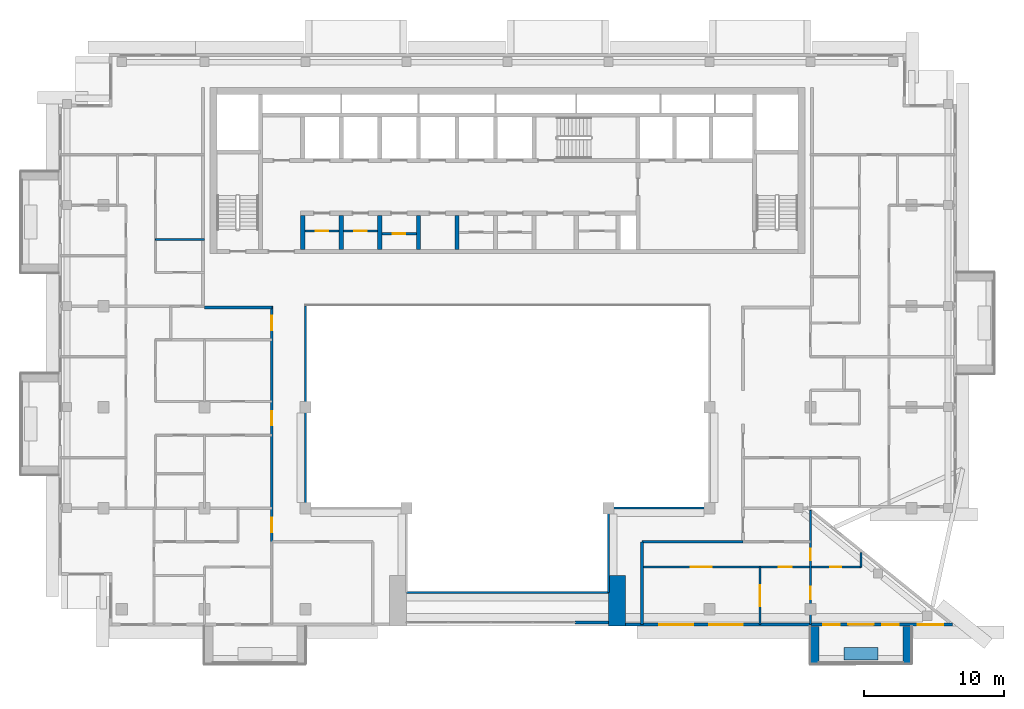
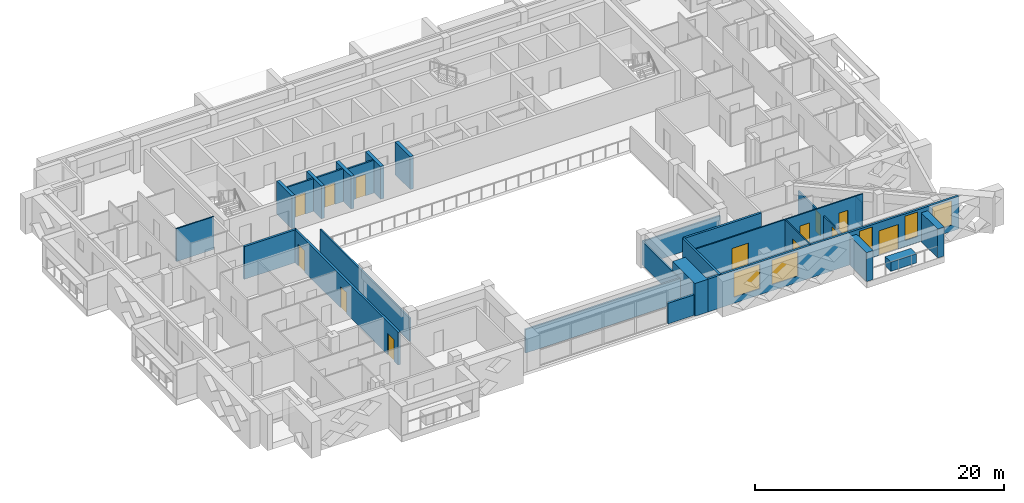
# One storey, part 8 of 19: 27 walls, 13 doors, 5 windows, 18 openings.
"""IFC4 building model written with IfcOpenShell, lengths in metres."""

from ifc_helpers import new_model, si_unit, direction, frame, frame_2d, origin, place, context, subcontext, project, spatial, rectangle, extrude, material, layer, layer_set, type_object, element, fill, save


model = new_model("IFC4")

# Units and contexts
model_context = context("Model", 3, precision=1e-05, world=origin(), true_north=direction((0.0, 1.0)))
body_context = subcontext(model_context, "Body", "Model", "MODEL_VIEW")
ifc_project = project(units=[si_unit("LENGTHUNIT", "METRE"), si_unit("AREAUNIT", "SQUARE_METRE"), si_unit("VOLUMEUNIT", "CUBIC_METRE"), si_unit("PLANEANGLEUNIT", "RADIAN"), si_unit("MASSUNIT", "GRAM", prefix="KILO")], contexts=[model_context])

# Site, building, storey
site_placement = place(None, origin())
site = spatial("IfcSite", under=ifc_project, at=site_placement, CompositionType="ELEMENT")
building_placement = place(site_placement, origin())
building = spatial("IfcBuilding", under=site, at=building_placement, Name="Saffron Iwan Residences", CompositionType="ELEMENT")
storey_placement = place(building_placement, frame((0.0, 0.0, 243.0)))
storey = spatial("IfcBuildingStorey", under=building, at=storey_placement, Name="L65", CompositionType="ELEMENT", Elevation=243.0)

# Walls
ifc_material_1 = material(Name="Fire-rated glazing", Category="glass")
ifc_layer_1 = layer(ifc_material_1, 0.14990234375)
ifc_layer_set_1 = layer_set([ifc_layer_1], Name="Fire-rated glazing")
wall_type_1 = type_object("IfcWallType", Name="Atrium glazed screen 150", PredefinedType="SOLIDWALL", material=ifc_layer_set_1)
wall_1_placement = place(storey_placement, frame((43.199951171875, 42.0, 0.0), z_axis=(0.0, 0.0, 1.0), x_axis=(1.0, 0.0, 0.0)))
element("IfcWall", 1, at=wall_1_placement, inside=storey, type_object=wall_type_1, Name="W-L65-SCREEN-h42-43.2", PredefinedType="SOLIDWALL", context=body_context, shape_type="SweptSolid", body=[
    extrude(rectangle(XDim=14.400146484375, YDim=0.14990234375, at=frame_2d((7.2001953125, 0.0))), origin(), (0.0, 0.0, 1.0), 2.320068359375),
])
wall_2_placement = place(storey_placement, frame((57.60009765625, 48.0, 0.0), z_axis=(0.0, 0.0, 1.0), x_axis=(1.0, 0.0, 0.0)))
element("IfcWall", 2, at=wall_2_placement, inside=storey, type_object=wall_type_1, Name="W-L65-SCREEN-h48-57.6", PredefinedType="SOLIDWALL", context=body_context, shape_type="SweptSolid", body=[
    extrude(rectangle(XDim=7.199951171875, YDim=0.14990234375, at=frame_2d((3.60009765625, 0.0))), origin(), (0.0, 0.0, 1.0), 2.320068359375),
])
wall_3_placement = place(storey_placement, frame((36.0, 48.0, 0.0), z_axis=(0.0, 0.0, 1.0), x_axis=(0.0, 1.0, 0.0)))
element("IfcWall", 3, at=wall_3_placement, inside=storey, type_object=wall_type_1, Name="W-L65-SCREEN-v36-48", PredefinedType="SOLIDWALL", context=body_context, shape_type="SweptSolid", body=[
    extrude(rectangle(XDim=14.39990234375, YDim=0.14990234375, at=frame_2d((7.199951171875, 0.0))), origin(), (0.0, 0.0, 1.0), 2.320068359375),
])
wall_4_placement = place(storey_placement, frame((57.60009765625, 42.0, 0.0), z_axis=(0.0, 0.0, 1.0), x_axis=(0.0, 1.0, 0.0)))
element("IfcWall", 4, at=wall_4_placement, inside=storey, type_object=wall_type_1, Name="W-L65-SCREEN-v57.6-42", PredefinedType="SOLIDWALL", context=body_context, shape_type="SweptSolid", body=[
    extrude(rectangle(XDim=6.0, YDim=0.14990234375, at=frame_2d((3.0, 0.0))), origin(), (0.0, 0.0, 1.0), 2.320068359375),
])
ifc_material_2 = material(Name="Concrete C50/60 white painted", Category="concrete")
ifc_layer_2 = layer(ifc_material_2, 0.60009765625)
ifc_layer_set_2 = layer_set([ifc_layer_2], Name="Concrete C50/60 white painted")
wall_type_2 = type_object("IfcWallType", Name="BALCONY FIN 600", PredefinedType="SOLIDWALL", material=ifc_layer_set_2)
for number, where, z_axis, x_axis, name in (
    (5, (72.300048828125, 39.550048828125, 0.0), (0.0, 0.0, 1.0), (0.0, -1.0, 0.0), "Balcony fin L65 11-1a"),
    (6, (78.89990234375, 39.550048828125, 0.0), (0.0, 0.0, 1.0), (0.0, -1.0, 0.0), "Balcony fin L65 11-1b"),
):
    element("IfcWall", number, at=place(storey_placement, frame(where, z_axis=z_axis, x_axis=x_axis)), inside=storey, type_object=wall_type_2, Name=name, PredefinedType="SOLIDWALL", context=body_context, shape_type="SweptSolid", body=[
        extrude(rectangle(XDim=2.650146484375, YDim=0.60009765625, at=frame_2d((1.3251953125, 0.0))), origin(), (0.0, 0.0, 1.0), 2.85009765625),
    ])
ifc_material_3 = material(Name="Concrete C35/45 white painted", Category="concrete")
ifc_layer_3 = layer(ifc_material_3, 0.14990234375)
ifc_layer_set_3 = layer_set([ifc_layer_3], Name="Concrete C35/45 white painted")
wall_type_3 = type_object("IfcWallType", Name="BALCONY PLANTER", PredefinedType="SOLIDWALL", material=ifc_layer_set_3)
wall_5_placement = place(storey_placement, frame((74.39990234375, 37.625, 0.0), z_axis=(0.0, 0.0, 1.0), x_axis=(1.0, 0.0, 0.0)))
element("IfcWall", 7, at=wall_5_placement, inside=storey, type_object=wall_type_3, Name="PLANTER L65 11-1", PredefinedType="SOLIDWALL", context=body_context, shape_type="SweptSolid", body=[
    extrude(rectangle(XDim=2.400146484375, YDim=0.89990234375, at=frame_2d((1.2001953125, 0.0))), origin(), (0.0, 0.0, 1.0), 0.89990234375),
])

# Wall, opening, door
ifc_material_4 = material(Name="Fire-rated plasterboard partition")
ifc_layer_4 = layer(ifc_material_4, 0.14990234375)
ifc_layer_set_4 = layer_set([ifc_layer_4], Name="Fire-rated plasterboard partition")
wall_type_4 = type_object("IfcWallType", Name="Core partition 150", PredefinedType="PARTITIONING", material=ifc_layer_set_4)
wall_6_placement = place(storey_placement, frame((35.949951171875, 67.759521484375, 0.0), z_axis=(0.0, 0.0, 1.0), x_axis=(1.0, 0.0, 0.0)))
wall_6 = element("IfcWall", 8, at=wall_6_placement, inside=storey, type_object=wall_type_4, Name="Core partition P01", PredefinedType="PARTITIONING", context=body_context, shape_type="SweptSolid", body=[
    extrude(rectangle(XDim=2.449951171875, YDim=0.14990234375, at=frame_2d((1.22509765625, 0.0))), origin(), (0.0, 0.0, 1.0), 3.219970703125),
])
opening_1_placement = place(wall_6_placement, frame((0.77490234375, 0.0, 0.0)))
opening_1 = element("IfcOpeningElement", 9, at=opening_1_placement, cuts=wall_6, Name="Opening SB", PredefinedType="OPENING", context=body_context, shape_type="SweptSolid", body=[
    extrude(rectangle(XDim=0.89990234375, YDim=2.10009765625, at=frame_2d((0.449951171875, 1.050048828125))), frame((0.0, 0.0849609375, 0.0), z_axis=(0.0, -1.0, 0.0), x_axis=(1.0, 0.0, 0.0)), (0.0, 0.0, 1.0), 0.169921875),
])
ifc_material_5 = material(Name="Steel fire door", Category="steel")
door_type_1 = type_object("IfcDoorType", Name="Store door 900", OperationType="NOTDEFINED", PredefinedType="DOOR", material=ifc_material_5)
door_1_placement = place(opening_1_placement, origin())
door_1 = element("IfcDoor", 10, at=door_1_placement, inside=storey, type_object=door_type_1, Name="Door Tool store", OperationType="SINGLE_SWING_LEFT", OverallHeight=2.10009765625, OverallWidth=0.89990234375, PredefinedType="DOOR", context=body_context, shape_type="SweptSolid", body=[
    extrude(rectangle(XDim=0.89990234375, YDim=2.10009765625, at=frame_2d((0.449951171875, 1.050048828125))), frame((0.0, 0.02490234375, 0.0), z_axis=(0.0, -1.0, 0.0), x_axis=(1.0, 0.0, 0.0)), (0.0, 0.0, 1.0), 0.050048828125),
])
fill(opening_1, door_1)

wall_7_placement = place(storey_placement, frame((38.699951171875, 67.759521484375, 0.0), z_axis=(0.0, 0.0, 1.0), x_axis=(1.0, 0.0, 0.0)))
wall_7 = element("IfcWall", 11, at=wall_7_placement, inside=storey, type_object=wall_type_4, Name="Core partition P02", PredefinedType="PARTITIONING", context=body_context, shape_type="SweptSolid", body=[
    extrude(rectangle(XDim=2.449951171875, YDim=0.14990234375, at=frame_2d((1.22509765625, 0.0))), origin(), (0.0, 0.0, 1.0), 3.219970703125),
])
opening_2_placement = place(wall_7_placement, frame((0.77490234375, 0.0, 0.0)))
opening_2 = element("IfcOpeningElement", 12, at=opening_2_placement, cuts=wall_7, Name="Opening SB", PredefinedType="OPENING", context=body_context, shape_type="SweptSolid", body=[
    extrude(rectangle(XDim=0.89990234375, YDim=2.10009765625, at=frame_2d((0.449951171875, 1.050048828125))), frame((0.0, 0.0849609375, 0.0), z_axis=(0.0, -1.0, 0.0), x_axis=(1.0, 0.0, 0.0)), (0.0, 0.0, 1.0), 0.169921875),
])
door_2_placement = place(opening_2_placement, origin())
door_2 = element("IfcDoor", 13, at=door_2_placement, inside=storey, type_object=door_type_1, Name="Door Cabling room", OperationType="SINGLE_SWING_RIGHT", OverallHeight=2.10009765625, OverallWidth=0.89990234375, PredefinedType="DOOR", context=body_context, shape_type="SweptSolid", body=[
    extrude(rectangle(XDim=0.89990234375, YDim=2.10009765625, at=frame_2d((0.449951171875, 1.050048828125))), frame((0.0, 0.02490234375, 0.0), z_axis=(0.0, -1.0, 0.0), x_axis=(1.0, 0.0, 0.0)), (0.0, 0.0, 1.0), 0.050048828125),
])
fill(opening_2, door_2)

wall_8_placement = place(storey_placement, frame((41.449951171875, 67.5654296875, 0.0), z_axis=(0.0, 0.0, 1.0), x_axis=(1.0, 0.0, 0.0)))
wall_8 = element("IfcWall", 14, at=wall_8_placement, inside=storey, type_object=wall_type_4, Name="Core partition P03", PredefinedType="PARTITIONING", context=body_context, shape_type="SweptSolid", body=[
    extrude(rectangle(XDim=2.449951171875, YDim=0.14990234375, at=frame_2d((1.22509765625, 0.0))), origin(), (0.0, 0.0, 1.0), 3.219970703125),
])
opening_3_placement = place(wall_8_placement, frame((0.77490234375, 0.0, 0.0)))
opening_3 = element("IfcOpeningElement", 15, at=opening_3_placement, cuts=wall_8, Name="Opening SB", PredefinedType="OPENING", context=body_context, shape_type="SweptSolid", body=[
    extrude(rectangle(XDim=0.89990234375, YDim=2.10009765625, at=frame_2d((0.449951171875, 1.050048828125))), frame((0.0, 0.0849609375, 0.0), z_axis=(0.0, -1.0, 0.0), x_axis=(1.0, 0.0, 0.0)), (0.0, 0.0, 1.0), 0.169921875),
])
door_3_placement = place(opening_3_placement, origin())
door_3 = element("IfcDoor", 16, at=door_3_placement, inside=storey, type_object=door_type_1, Name="Door Equipment store", OperationType="SINGLE_SWING_RIGHT", OverallHeight=2.10009765625, OverallWidth=0.89990234375, PredefinedType="DOOR", context=body_context, shape_type="SweptSolid", body=[
    extrude(rectangle(XDim=0.89990234375, YDim=2.10009765625, at=frame_2d((0.449951171875, 1.050048828125))), frame((0.0, 0.02490234375, 0.0), z_axis=(0.0, -1.0, 0.0), x_axis=(1.0, 0.0, 0.0)), (0.0, 0.0, 1.0), 0.050048828125),
])
fill(opening_3, door_3)

# Wall, openings, door, windows
ifc_material_6 = material(Name="Concrete C40/50", Category="concrete")
ifc_layer_5 = layer(ifc_material_6, 0.199951171875)
ifc_layer_set_5 = layer_set([ifc_layer_5], Name="Concrete C40/50")
wall_type_5 = type_object("IfcWallType", Name="EXTERNAL WALL 200", PredefinedType="SOLIDWALL", material=ifc_layer_set_5)
wall_9_placement = place(storey_placement, frame((58.800048828125, 39.699951171875, 0.0), z_axis=(0.0, 0.0, 1.0), x_axis=(1.0, 0.0, 0.0)))
wall_9 = element("IfcWall", 17, at=wall_9_placement, inside=storey, type_object=wall_type_5, Name="External wall L65 F11.1", PredefinedType="SOLIDWALL", context=body_context, shape_type="SweptSolid", body=[
    extrude(rectangle(XDim=23.31689453125, YDim=0.199951171875, at=frame_2d((11.658447265625, 0.0))), origin(), (0.0, 0.0, 1.0), 3.219970703125),
])
opening_4_placement = place(wall_9_placement, frame((15.89990234375, 0.0, 0.0)))
opening_4 = element("IfcOpeningElement", 18, at=opening_4_placement, cuts=wall_9, Name="Opening BD1", PredefinedType="OPENING", context=body_context, shape_type="SweptSolid", body=[
    extrude(rectangle(XDim=1.800048828125, YDim=2.39990234375, at=frame_2d((0.89990234375, 1.199951171875))), frame((0.0, 0.10986328125, 0.0), z_axis=(0.0, -1.0, 0.0), x_axis=(1.0, 0.0, 0.0)), (0.0, 0.0, 1.0), 0.219970703125),
])
opening_5_placement = place(wall_9_placement, frame((2.433349609375, 0.0, 0.60009765625)))
opening_5 = element("IfcOpeningElement", 19, at=opening_5_placement, cuts=wall_9, Name="Opening W1", PredefinedType="OPENING", context=body_context, shape_type="SweptSolid", body=[
    extrude(rectangle(XDim=2.39990234375, YDim=2.39990234375, at=frame_2d((1.199951171875, 1.199951171875))), frame((0.0, 0.10986328125, 0.0), z_axis=(0.0, -1.0, 0.0), x_axis=(1.0, 0.0, 0.0)), (0.0, 0.0, 1.0), 0.219970703125),
])
opening_6_placement = place(wall_9_placement, frame((5.966796875, 0.0, 0.60009765625)))
opening_6 = element("IfcOpeningElement", 20, at=opening_6_placement, cuts=wall_9, Name="Opening W1", PredefinedType="OPENING", context=body_context, shape_type="SweptSolid", body=[
    extrude(rectangle(XDim=2.39990234375, YDim=2.39990234375, at=frame_2d((1.199951171875, 1.199951171875))), frame((0.0, 0.10986328125, 0.0), z_axis=(0.0, -1.0, 0.0), x_axis=(1.0, 0.0, 0.0)), (0.0, 0.0, 1.0), 0.219970703125),
])
opening_7_placement = place(wall_9_placement, frame((14.10009765625, 0.0, 0.60009765625)))
opening_7 = element("IfcOpeningElement", 21, at=opening_7_placement, cuts=wall_9, Name="Opening W3", PredefinedType="OPENING", context=body_context, shape_type="SweptSolid", body=[
    extrude(rectangle(XDim=1.199951171875, YDim=2.39990234375, at=frame_2d((0.60009765625, 1.199951171875))), frame((0.0, 0.10986328125, 0.0), z_axis=(0.0, -1.0, 0.0), x_axis=(1.0, 0.0, 0.0)), (0.0, 0.0, 1.0), 0.219970703125),
])
opening_8_placement = place(wall_9_placement, frame((18.300048828125, 0.0, 0.60009765625)))
opening_8 = element("IfcOpeningElement", 22, at=opening_8_placement, cuts=wall_9, Name="Opening W3", PredefinedType="OPENING", context=body_context, shape_type="SweptSolid", body=[
    extrude(rectangle(XDim=1.199951171875, YDim=2.39990234375, at=frame_2d((0.60009765625, 1.199951171875))), frame((0.0, 0.10986328125, 0.0), z_axis=(0.0, -1.0, 0.0), x_axis=(1.0, 0.0, 0.0)), (0.0, 0.0, 1.0), 0.219970703125),
])
opening_9_placement = place(wall_9_placement, frame((20.8583984375, 0.0, 0.60009765625)))
opening_9 = element("IfcOpeningElement", 23, at=opening_9_placement, cuts=wall_9, Name="Opening W8", PredefinedType="OPENING", context=body_context, shape_type="SweptSolid", body=[
    extrude(rectangle(XDim=1.800048828125, YDim=2.39990234375, at=frame_2d((0.89990234375, 1.199951171875))), frame((0.0, 0.10986328125, 0.0), z_axis=(0.0, -1.0, 0.0), x_axis=(1.0, 0.0, 0.0)), (0.0, 0.0, 1.0), 0.219970703125),
])
ifc_material_7 = material(Name="Clear glass, laminated double glazed", Category="glass")
door_type_2 = type_object("IfcDoorType", Name="BALCONY DOOR 1800 x 2400", OperationType="DOUBLE_DOOR_SLIDING", PredefinedType="DOOR", material=ifc_material_7)
door_4_placement = place(opening_4_placement, origin())
door_4 = element("IfcDoor", 24, at=door_4_placement, inside=storey, type_object=door_type_2, Name="Balcony door L65 F11.0", OperationType="DOUBLE_DOOR_SLIDING", OverallHeight=2.39990234375, OverallWidth=1.800048828125, PredefinedType="DOOR", context=body_context, shape_type="SweptSolid", body=[
    extrude(rectangle(XDim=1.800048828125, YDim=2.39990234375, at=frame_2d((0.89990234375, 1.199951171875))), frame((0.0, 0.02490234375, 0.0), z_axis=(0.0, -1.0, 0.0), x_axis=(1.0, 0.0, 0.0)), (0.0, 0.0, 1.0), 0.050048828125),
])
fill(opening_4, door_4)
window_type_1 = type_object("IfcWindowType", Name="WINDOW 1200 x 2400", PartitioningType="SINGLE_PANEL", PredefinedType="WINDOW", material=ifc_material_7)
window_1_placement = place(opening_7_placement, origin())
window_1 = element("IfcWindow", 25, at=window_1_placement, inside=storey, type_object=window_type_1, Name="Window L65 F11.3", OverallHeight=2.39990234375, OverallWidth=1.199951171875, PartitioningType="SINGLE_PANEL", PredefinedType="WINDOW", context=body_context, shape_type="SweptSolid", body=[
    extrude(rectangle(XDim=1.199951171875, YDim=2.39990234375, at=frame_2d((0.60009765625, 1.199951171875))), frame((0.0, 0.030029296875, 0.0), z_axis=(0.0, -1.0, 0.0), x_axis=(1.0, 0.0, 0.0)), (0.0, 0.0, 1.0), 0.06005859375),
])
fill(opening_7, window_1)
window_2_placement = place(opening_8_placement, origin())
window_2 = element("IfcWindow", 26, at=window_2_placement, inside=storey, type_object=window_type_1, Name="Window L65 F11.4", OverallHeight=2.39990234375, OverallWidth=1.199951171875, PartitioningType="SINGLE_PANEL", PredefinedType="WINDOW", context=body_context, shape_type="SweptSolid", body=[
    extrude(rectangle(XDim=1.199951171875, YDim=2.39990234375, at=frame_2d((0.60009765625, 1.199951171875))), frame((0.0, 0.030029296875, 0.0), z_axis=(0.0, -1.0, 0.0), x_axis=(1.0, 0.0, 0.0)), (0.0, 0.0, 1.0), 0.06005859375),
])
fill(opening_8, window_2)
window_type_2 = type_object("IfcWindowType", Name="WINDOW 1800 x 2400", PartitioningType="DOUBLE_PANEL_VERTICAL", PredefinedType="WINDOW", material=ifc_material_7)
window_3_placement = place(opening_9_placement, origin())
window_3 = element("IfcWindow", 27, at=window_3_placement, inside=storey, type_object=window_type_2, Name="Window L65 F11.5", OverallHeight=2.39990234375, OverallWidth=1.800048828125, PartitioningType="DOUBLE_PANEL_VERTICAL", PredefinedType="WINDOW", context=body_context, shape_type="SweptSolid", body=[
    extrude(rectangle(XDim=1.800048828125, YDim=2.39990234375, at=frame_2d((0.89990234375, 1.199951171875))), frame((0.0, 0.030029296875, 0.0), z_axis=(0.0, -1.0, 0.0), x_axis=(1.0, 0.0, 0.0)), (0.0, 0.0, 1.0), 0.06005859375),
])
fill(opening_9, window_3)
window_type_3 = type_object("IfcWindowType", Name="WINDOW 2400 x 2400", PartitioningType="DOUBLE_PANEL_VERTICAL", PredefinedType="WINDOW", material=ifc_material_7)
window_4_placement = place(opening_5_placement, origin())
window_4 = element("IfcWindow", 28, at=window_4_placement, inside=storey, type_object=window_type_3, Name="Window L65 F11.1", OverallHeight=2.39990234375, OverallWidth=2.39990234375, PartitioningType="DOUBLE_PANEL_VERTICAL", PredefinedType="WINDOW", context=body_context, shape_type="SweptSolid", body=[
    extrude(rectangle(XDim=2.39990234375, YDim=2.39990234375, at=frame_2d((1.199951171875, 1.199951171875))), frame((0.0, 0.030029296875, 0.0), z_axis=(0.0, -1.0, 0.0), x_axis=(1.0, 0.0, 0.0)), (0.0, 0.0, 1.0), 0.06005859375),
])
fill(opening_5, window_4)
window_5_placement = place(opening_6_placement, origin())
window_5 = element("IfcWindow", 29, at=window_5_placement, inside=storey, type_object=window_type_3, Name="Window L65 F11.2", OverallHeight=2.39990234375, OverallWidth=2.39990234375, PartitioningType="DOUBLE_PANEL_VERTICAL", PredefinedType="WINDOW", context=body_context, shape_type="SweptSolid", body=[
    extrude(rectangle(XDim=2.39990234375, YDim=2.39990234375, at=frame_2d((1.199951171875, 1.199951171875))), frame((0.0, 0.030029296875, 0.0), z_axis=(0.0, -1.0, 0.0), x_axis=(1.0, 0.0, 0.0)), (0.0, 0.0, 1.0), 0.06005859375),
])
fill(opening_6, window_5)

# Wall
wall_10_placement = place(storey_placement, frame((55.199951171875, 39.85009765625, 0.0), z_axis=(0.0, 0.0, 1.0), x_axis=(1.0, 0.0, 0.0)))
element("IfcWall", 30, at=wall_10_placement, inside=storey, type_object=wall_type_5, Name="External wall infill CWB-L65-0", PredefinedType="SOLIDWALL", context=body_context, shape_type="SweptSolid", body=[
    extrude(rectangle(XDim=2.400146484375, YDim=0.199951171875, at=frame_2d((1.2001953125, 0.0))), origin(), (0.0, 0.0, 1.0), 2.02001953125),
])

# Wall, openings, doors
ifc_material_8 = material(Name="Gypsum board partition")
ifc_layer_6 = layer(ifc_material_8, 0.1201171875)
ifc_layer_set_6 = layer_set([ifc_layer_6], Name="Gypsum board partition")
wall_type_6 = type_object("IfcWallType", Name="Flat partition 120", PredefinedType="PARTITIONING", material=ifc_layer_set_6)
wall_11_placement = place(storey_placement, frame((60.0, 43.800048828125, 0.0), z_axis=(0.0, 0.0, 1.0), x_axis=(1.0, 0.0, 0.0)))
wall_11 = element("IfcWall", 31, at=wall_11_placement, inside=storey, type_object=wall_type_6, Name="W-L65-PART-h43.8-60", PredefinedType="PARTITIONING", context=body_context, shape_type="SweptSolid", body=[
    extrude(rectangle(XDim=15.60009765625, YDim=0.1201171875, at=frame_2d((7.800048828125, 0.0))), origin(), (0.0, 0.0, 1.0), 3.219970703125),
])
opening_10_placement = place(wall_11_placement, frame((9.75, 0.0, 0.0)))
opening_10 = element("IfcOpeningElement", 32, at=opening_10_placement, cuts=wall_11, Name="Opening FD2", PredefinedType="OPENING", context=body_context, shape_type="SweptSolid", body=[
    extrude(rectangle(XDim=0.89990234375, YDim=2.10009765625, at=frame_2d((0.449951171875, 1.050048828125))), frame((0.0, 0.070068359375, 0.0), z_axis=(0.0, -1.0, 0.0), x_axis=(1.0, 0.0, 0.0)), (0.0, 0.0, 1.0), 0.14013671875),
])
opening_11_placement = place(wall_11_placement, frame((3.449951171875, 0.0, 0.0)))
opening_11 = element("IfcOpeningElement", 33, at=opening_11_placement, cuts=wall_11, Name="Opening FD4", PredefinedType="OPENING", context=body_context, shape_type="SweptSolid", body=[
    extrude(rectangle(XDim=1.5, YDim=2.10009765625, at=frame_2d((0.75, 1.050048828125))), frame((0.0, 0.070068359375, 0.0), z_axis=(0.0, -1.0, 0.0), x_axis=(1.0, 0.0, 0.0)), (0.0, 0.0, 1.0), 0.14013671875),
])
opening_12_placement = place(wall_11_placement, frame((13.39990234375, 0.0, 0.0)))
opening_12 = element("IfcOpeningElement", 34, at=opening_12_placement, cuts=wall_11, Name="Opening FD3", PredefinedType="OPENING", context=body_context, shape_type="SweptSolid", body=[
    extrude(rectangle(XDim=0.800048828125, YDim=2.10009765625, at=frame_2d((0.39990234375, 1.050048828125))), frame((0.0, 0.070068359375, 0.0), z_axis=(0.0, -1.0, 0.0), x_axis=(1.0, 0.0, 0.0)), (0.0, 0.0, 1.0), 0.14013671875),
])
ifc_material_9 = material(Name="Timber door", Category="wood")
door_type_3 = type_object("IfcDoorType", Name="Bathroom door 800", OperationType="NOTDEFINED", PredefinedType="DOOR", material=ifc_material_9)
door_5_placement = place(opening_12_placement, origin())
door_5 = element("IfcDoor", 35, at=door_5_placement, inside=storey, type_object=door_type_3, Name="Door L65-047", OperationType="SINGLE_SWING_RIGHT", OverallHeight=2.10009765625, OverallWidth=0.800048828125, PredefinedType="DOOR", context=body_context, shape_type="SweptSolid", body=[
    extrude(rectangle(XDim=0.800048828125, YDim=2.10009765625, at=frame_2d((0.39990234375, 1.050048828125))), frame((0.0, 0.02490234375, 0.0), z_axis=(0.0, -1.0, 0.0), x_axis=(1.0, 0.0, 0.0)), (0.0, 0.0, 1.0), 0.050048828125),
])
fill(opening_12, door_5)
door_type_4 = type_object("IfcDoorType", Name="Double door 1500", OperationType="NOTDEFINED", PredefinedType="DOOR", material=ifc_material_9)
door_6_placement = place(opening_11_placement, origin())
door_6 = element("IfcDoor", 36, at=door_6_placement, inside=storey, type_object=door_type_4, Name="Door L65-044", OperationType="SINGLE_SWING_RIGHT", OverallHeight=2.10009765625, OverallWidth=1.5, PredefinedType="DOOR", context=body_context, shape_type="SweptSolid", body=[
    extrude(rectangle(XDim=1.5, YDim=2.10009765625, at=frame_2d((0.75, 1.050048828125))), frame((0.0, 0.02490234375, 0.0), z_axis=(0.0, -1.0, 0.0), x_axis=(1.0, 0.0, 0.0)), (0.0, 0.0, 1.0), 0.050048828125),
])
fill(opening_11, door_6)
door_type_5 = type_object("IfcDoorType", Name="Flat door 900", OperationType="NOTDEFINED", PredefinedType="DOOR", material=ifc_material_9)
door_7_placement = place(opening_10_placement, origin())
door_7 = element("IfcDoor", 37, at=door_7_placement, inside=storey, type_object=door_type_5, Name="Door L65-043", OperationType="SINGLE_SWING_LEFT", OverallHeight=2.10009765625, OverallWidth=0.89990234375, PredefinedType="DOOR", context=body_context, shape_type="SweptSolid", body=[
    extrude(rectangle(XDim=0.89990234375, YDim=2.10009765625, at=frame_2d((0.449951171875, 1.050048828125))), frame((0.0, 0.02490234375, 0.0), z_axis=(0.0, -1.0, 0.0), x_axis=(1.0, 0.0, 0.0)), (0.0, 0.0, 1.0), 0.050048828125),
])
fill(opening_10, door_7)

# Wall
wall_12_placement = place(storey_placement, frame((25.300048828125, 67.14990234375, 0.0), z_axis=(0.0, 0.0, 1.0), x_axis=(1.0, 0.0, 0.0)))
element("IfcWall", 38, at=wall_12_placement, inside=storey, type_object=wall_type_6, Name="W-L65-PART-h67.15-25.3", PredefinedType="PARTITIONING", context=body_context, shape_type="SweptSolid", body=[
    extrude(rectangle(XDim=3.5, YDim=0.1201171875, at=frame_2d((1.75, 0.0))), origin(), (0.0, 0.0, 1.0), 3.219970703125),
])

# Wall, opening, door
wall_13_placement = place(storey_placement, frame((68.39990234375, 39.72509765625, 0.0), z_axis=(0.0, 0.0, 1.0), x_axis=(0.0, 1.0, 0.0)))
wall_13 = element("IfcWall", 39, at=wall_13_placement, inside=storey, type_object=wall_type_6, Name="W-L65-PART-v68.4-39.725", PredefinedType="PARTITIONING", context=body_context, shape_type="SweptSolid", body=[
    extrude(rectangle(XDim=4.074951171875, YDim=0.1201171875, at=frame_2d((2.03759765625, 0.0))), origin(), (0.0, 0.0, 1.0), 3.219970703125),
])
opening_13_placement = place(wall_13_placement, frame((1.28759765625, 0.0, 0.0)))
opening_13 = element("IfcOpeningElement", 40, at=opening_13_placement, cuts=wall_13, Name="Opening FD4", PredefinedType="OPENING", context=body_context, shape_type="SweptSolid", body=[
    extrude(rectangle(XDim=1.5, YDim=2.10009765625, at=frame_2d((0.75, 1.050048828125))), frame((0.0, 0.070068359375, 0.0), z_axis=(0.0, -1.0, 0.0), x_axis=(1.0, 0.0, 0.0)), (0.0, 0.0, 1.0), 0.14013671875),
])
door_8_placement = place(opening_13_placement, origin())
door_8 = element("IfcDoor", 41, at=door_8_placement, inside=storey, type_object=door_type_4, Name="Door L65-040", OperationType="SINGLE_SWING_LEFT", OverallHeight=2.10009765625, OverallWidth=1.5, PredefinedType="DOOR", context=body_context, shape_type="SweptSolid", body=[
    extrude(rectangle(XDim=1.5, YDim=2.10009765625, at=frame_2d((0.75, 1.050048828125))), frame((0.0, 0.02490234375, 0.0), z_axis=(0.0, -1.0, 0.0), x_axis=(1.0, 0.0, 0.0)), (0.0, 0.0, 1.0), 0.050048828125),
])
fill(opening_13, door_8)

# Wall, openings, doors
wall_14_placement = place(storey_placement, frame((72.0, 39.72509765625, 0.0), z_axis=(0.0, 0.0, 1.0), x_axis=(0.0, 1.0, 0.0)))
wall_14 = element("IfcWall", 42, at=wall_14_placement, inside=storey, type_object=wall_type_6, Name="W-L65-PART-v72-39.725", PredefinedType="PARTITIONING", context=body_context, shape_type="SweptSolid", body=[
    extrude(rectangle(XDim=8.114013671875, YDim=0.1201171875, at=frame_2d((4.05712890625, 0.0))), origin(), (0.0, 0.0, 1.0), 2.320068359375),
])
opening_14_placement = place(wall_14_placement, frame((1.78759765625, 0.0, 0.0)))
opening_14 = element("IfcOpeningElement", 43, at=opening_14_placement, cuts=wall_14, Name="Opening FD2", PredefinedType="OPENING", context=body_context, shape_type="SweptSolid", body=[
    extrude(rectangle(XDim=0.89990234375, YDim=2.10009765625, at=frame_2d((0.449951171875, 1.050048828125))), frame((0.0, 0.070068359375, 0.0), z_axis=(0.0, -1.0, 0.0), x_axis=(1.0, 0.0, 0.0)), (0.0, 0.0, 1.0), 0.14013671875),
])
opening_15_placement = place(wall_14_placement, frame((4.574951171875, 0.0, 0.0)))
opening_15 = element("IfcOpeningElement", 44, at=opening_15_placement, cuts=wall_14, Name="Opening FD3", PredefinedType="OPENING", context=body_context, shape_type="SweptSolid", body=[
    extrude(rectangle(XDim=0.800048828125, YDim=2.10009765625, at=frame_2d((0.39990234375, 1.050048828125))), frame((0.0, 0.070068359375, 0.0), z_axis=(0.0, -1.0, 0.0), x_axis=(1.0, 0.0, 0.0)), (0.0, 0.0, 1.0), 0.14013671875),
])
door_9_placement = place(opening_15_placement, origin())
door_9 = element("IfcDoor", 45, at=door_9_placement, inside=storey, type_object=door_type_3, Name="Door L65-046", OperationType="SINGLE_SWING_LEFT", OverallHeight=2.10009765625, OverallWidth=0.800048828125, PredefinedType="DOOR", context=body_context, shape_type="SweptSolid", body=[
    extrude(rectangle(XDim=0.800048828125, YDim=2.10009765625, at=frame_2d((0.39990234375, 1.050048828125))), frame((0.0, 0.02490234375, 0.0), z_axis=(0.0, -1.0, 0.0), x_axis=(1.0, 0.0, 0.0)), (0.0, 0.0, 1.0), 0.050048828125),
])
fill(opening_15, door_9)
door_10_placement = place(opening_14_placement, origin())
door_10 = element("IfcDoor", 46, at=door_10_placement, inside=storey, type_object=door_type_5, Name="Door L65-045", OperationType="SINGLE_SWING_RIGHT", OverallHeight=2.10009765625, OverallWidth=0.89990234375, PredefinedType="DOOR", context=body_context, shape_type="SweptSolid", body=[
    extrude(rectangle(XDim=0.89990234375, YDim=2.10009765625, at=frame_2d((0.449951171875, 1.050048828125))), frame((0.0, 0.02490234375, 0.0), z_axis=(0.0, -1.0, 0.0), x_axis=(1.0, 0.0, 0.0)), (0.0, 0.0, 1.0), 0.050048828125),
])
fill(opening_14, door_10)

# Walls
wall_15_placement = place(storey_placement, frame((75.60009765625, 43.800048828125, 0.0), z_axis=(0.0, 0.0, 1.0), x_axis=(0.0, 1.0, 0.0)))
element("IfcWall", 47, at=wall_15_placement, inside=storey, type_object=wall_type_6, Name="W-L65-PART-v75.6-43.8", PredefinedType="PARTITIONING", context=body_context, shape_type="SweptSolid", body=[
    extrude(rectangle(XDim=1.03515625, YDim=0.1201171875, at=frame_2d((0.517578125, 0.0))), origin(), (0.0, 0.0, 1.0), 2.320068359375),
])
ifc_material_10 = material(Name="Fire-rated gypsum board wall")
ifc_layer_7 = layer(ifc_material_10, 0.199951171875)
ifc_layer_set_7 = layer_set([ifc_layer_7], Name="Fire-rated gypsum board wall")
wall_type_7 = type_object("IfcWallType", Name="Gallery wall 200", PredefinedType="SOLIDWALL", material=ifc_layer_set_7)
wall_16_placement = place(storey_placement, frame((60.0, 45.60009765625, 0.0), z_axis=(0.0, 0.0, 1.0), x_axis=(1.0, 0.0, 0.0)))
element("IfcWall", 48, at=wall_16_placement, inside=storey, type_object=wall_type_7, Name="W-L65-CORR-h45.6-60", PredefinedType="SOLIDWALL", context=body_context, shape_type="SweptSolid", body=[
    extrude(rectangle(XDim=7.199951171875, YDim=0.199951171875, at=frame_2d((3.60009765625, 0.0))), origin(), (0.0, 0.0, 1.0), 3.219970703125),
])
wall_17_placement = place(storey_placement, frame((28.800048828125, 62.300048828125, 0.0), z_axis=(0.0, 0.0, 1.0), x_axis=(1.0, 0.0, 0.0)))
element("IfcWall", 49, at=wall_17_placement, inside=storey, type_object=wall_type_7, Name="W-L65-CORR-h62.4-28.8", PredefinedType="SOLIDWALL", context=body_context, shape_type="SweptSolid", body=[
    extrude(rectangle(XDim=4.800048828125, YDim=0.199951171875, at=frame_2d((2.39990234375, 0.0))), origin(), (0.0, 0.0, 1.0), 3.219970703125),
])

# Wall, openings, doors
wall_18_placement = place(storey_placement, frame((33.60009765625, 45.60009765625, 0.0), z_axis=(0.0, 0.0, 1.0), x_axis=(0.0, 1.0, 0.0)))
wall_18 = element("IfcWall", 50, at=wall_18_placement, inside=storey, type_object=wall_type_7, Name="W-L65-CORR-v33.6-45.6", PredefinedType="SOLIDWALL", context=body_context, shape_type="SweptSolid", body=[
    extrude(rectangle(XDim=16.7998046875, YDim=0.199951171875, at=frame_2d((8.39990234375, 0.0))), origin(), (0.0, 0.0, 1.0), 3.219970703125),
])
opening_16_placement = place(wall_18_placement, frame((0.699951171875, 0.0, 0.0)))
opening_16 = element("IfcOpeningElement", 51, at=opening_16_placement, cuts=wall_18, Name="Opening FD1", PredefinedType="OPENING", context=body_context, shape_type="SweptSolid", body=[
    extrude(rectangle(XDim=1.0, YDim=2.10009765625, at=frame_2d((0.5, 1.050048828125))), frame((0.0, 0.10986328125, 0.0), z_axis=(0.0, -1.0, 0.0), x_axis=(1.0, 0.0, 0.0)), (0.0, 0.0, 1.0), 0.219970703125),
])
opening_17_placement = place(wall_18_placement, frame((8.300048828125, 0.0, 0.0)))
opening_17 = element("IfcOpeningElement", 52, at=opening_17_placement, cuts=wall_18, Name="Opening FD1", PredefinedType="OPENING", context=body_context, shape_type="SweptSolid", body=[
    extrude(rectangle(XDim=1.0, YDim=2.10009765625, at=frame_2d((0.5, 1.050048828125))), frame((0.0, 0.10986328125, 0.0), z_axis=(0.0, -1.0, 0.0), x_axis=(1.0, 0.0, 0.0)), (0.0, 0.0, 1.0), 0.219970703125),
])
opening_18_placement = place(wall_18_placement, frame((15.10009765625, 0.0, 0.0)))
opening_18 = element("IfcOpeningElement", 53, at=opening_18_placement, cuts=wall_18, Name="Opening FD5", PredefinedType="OPENING", context=body_context, shape_type="SweptSolid", body=[
    extrude(rectangle(XDim=1.0, YDim=2.10009765625, at=frame_2d((0.5, 1.050048828125))), frame((0.0, 0.10986328125, 0.0), z_axis=(0.0, -1.0, 0.0), x_axis=(1.0, 0.0, 0.0)), (0.0, 0.0, 1.0), 0.219970703125),
])
ifc_material_11 = material(Name="Fire-rated timber door", Category="wood")
door_type_6 = type_object("IfcDoorType", Name="FD30S flat entrance door 1000", OperationType="NOTDEFINED", PredefinedType="DOOR", material=ifc_material_11)
door_11_placement = place(opening_16_placement, origin())
door_11 = element("IfcDoor", 54, at=door_11_placement, inside=storey, type_object=door_type_6, Name="Door L65-001", OperationType="SINGLE_SWING_LEFT", OverallHeight=2.10009765625, OverallWidth=1.0, PredefinedType="DOOR", context=body_context, shape_type="SweptSolid", body=[
    extrude(rectangle(XDim=1.0, YDim=2.10009765625, at=frame_2d((0.5, 1.050048828125))), frame((0.0, 0.02490234375, 0.0), z_axis=(0.0, -1.0, 0.0), x_axis=(1.0, 0.0, 0.0)), (0.0, 0.0, 1.0), 0.050048828125),
])
fill(opening_16, door_11)
door_12_placement = place(opening_17_placement, origin())
door_12 = element("IfcDoor", 55, at=door_12_placement, inside=storey, type_object=door_type_6, Name="Door L65-008", OperationType="SINGLE_SWING_RIGHT", OverallHeight=2.10009765625, OverallWidth=1.0, PredefinedType="DOOR", context=body_context, shape_type="SweptSolid", body=[
    extrude(rectangle(XDim=1.0, YDim=2.10009765625, at=frame_2d((0.5, 1.050048828125))), frame((0.0, 0.02490234375, 0.0), z_axis=(0.0, -1.0, 0.0), x_axis=(1.0, 0.0, 0.0)), (0.0, 0.0, 1.0), 0.050048828125),
])
fill(opening_17, door_12)
door_type_7 = type_object("IfcDoorType", Name="Lobby door 1000", OperationType="NOTDEFINED", PredefinedType="DOOR", material=ifc_material_11)
door_13_placement = place(opening_18_placement, origin())
door_13 = element("IfcDoor", 56, at=door_13_placement, inside=storey, type_object=door_type_7, Name="Door L65-024", OperationType="SINGLE_SWING_LEFT", OverallHeight=2.10009765625, OverallWidth=1.0, PredefinedType="DOOR", context=body_context, shape_type="SweptSolid", body=[
    extrude(rectangle(XDim=1.0, YDim=2.10009765625, at=frame_2d((0.5, 1.050048828125))), frame((0.0, 0.02490234375, 0.0), z_axis=(0.0, -1.0, 0.0), x_axis=(1.0, 0.0, 0.0)), (0.0, 0.0, 1.0), 0.050048828125),
])
fill(opening_18, door_13)

# Walls
wall_19_placement = place(storey_placement, frame((60.0, 39.72509765625, 0.0), z_axis=(0.0, 0.0, 1.0), x_axis=(0.0, 1.0, 0.0)))
element("IfcWall", 57, at=wall_19_placement, inside=storey, type_object=wall_type_7, Name="W-L65-CORR-v60-39.725", PredefinedType="SOLIDWALL", context=body_context, shape_type="SweptSolid", body=[
    extrude(rectangle(XDim=5.875, YDim=0.199951171875, at=frame_2d((2.9375, 0.0))), origin(), (0.0, 0.0, 1.0), 3.219970703125),
])
ifc_layer_8 = layer(ifc_material_6, 0.300048828125)
ifc_layer_set_8 = layer_set([ifc_layer_8], Name="Concrete C40/50")
wall_type_8 = type_object("IfcWallType", Name="WALL CORE 300 C40/50 3220 HIGH", PredefinedType="SHEAR", material=ifc_layer_set_8)
for number, where, z_axis, x_axis, name in (
    (58, (35.800048828125, 66.449951171875, 0.0), (0.0, 0.0, 1.0), (0.0, 1.0, 0.0), "Core wall"),
    (59, (38.550048828125, 66.449951171875, 0.0), (0.0, 0.0, 1.0), (0.0, 1.0, 0.0), "Core wall"),
    (60, (41.300048828125, 66.449951171875, 0.0), (0.0, 0.0, 1.0), (0.0, 1.0, 0.0), "Core wall"),
    (61, (44.050048828125, 66.449951171875, 0.0), (0.0, 0.0, 1.0), (0.0, 1.0, 0.0), "Core wall"),
    (62, (46.800048828125, 66.449951171875, 0.0), (0.0, 0.0, 1.0), (0.0, 1.0, 0.0), "Core wall"),
):
    element("IfcWall", number, at=place(storey_placement, frame(where, z_axis=z_axis, x_axis=x_axis)), inside=storey, type_object=wall_type_8, Name=name, PredefinedType="SHEAR", context=body_context, shape_type="SweptSolid", body=[
        extrude(rectangle(XDim=2.425048828125, YDim=0.300048828125, at=frame_2d((1.21240234375, 0.0))), origin(), (0.0, 0.0, 1.0), 3.219970703125),
    ])
ifc_layer_9 = layer(ifc_material_6, 1.199951171875)
ifc_layer_set_9 = layer_set([ifc_layer_9], Name="Concrete C40/50")
wall_type_9 = type_object("IfcWallType", Name="WALL IWAN PIER 1200 C40/50 3220 HIGH", PredefinedType="SHEAR", material=ifc_layer_set_9)
wall_20_placement = place(storey_placement, frame((58.199951171875, 39.60009765625, 0.0), z_axis=(0.0, 0.0, 1.0), x_axis=(0.0, 1.0, 0.0)))
element("IfcWall", 63, at=wall_20_placement, inside=storey, type_object=wall_type_9, Name="IWAN PIER", PredefinedType="SHEAR", context=body_context, shape_type="SweptSolid", body=[
    extrude(rectangle(XDim=3.599853515625, YDim=1.199951171875, at=frame_2d((1.7998046875, 0.0))), origin(), (0.0, 0.0, 1.0), 3.219970703125),
])

save(model, "model.ifc")
